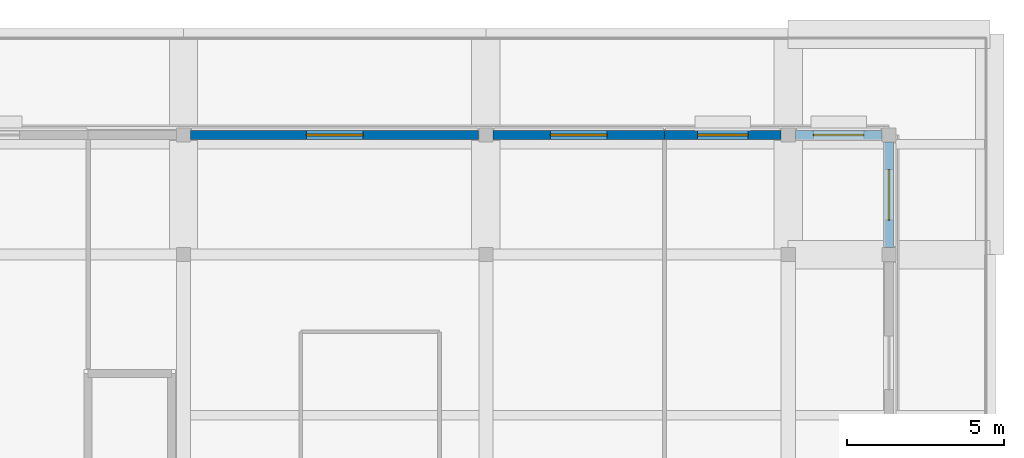
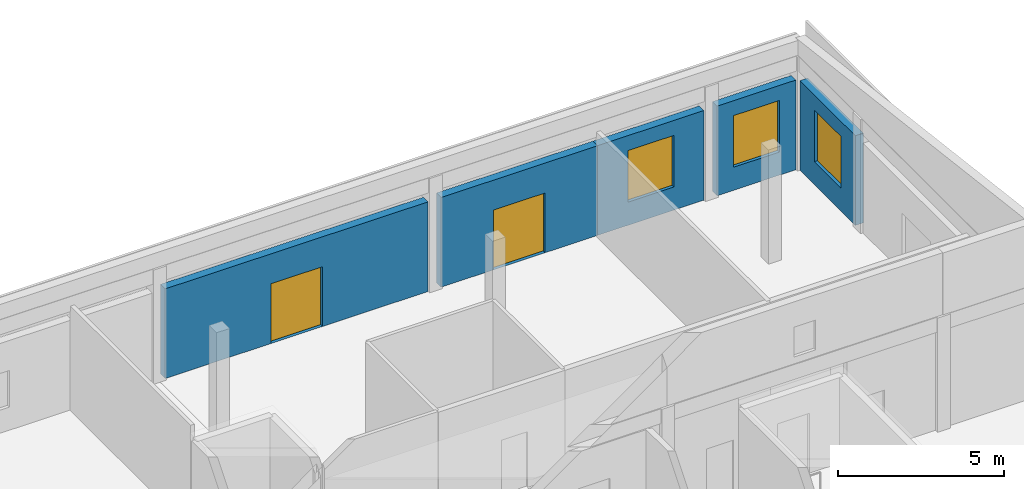
# One storey, part 6 of 8: 5 walls, 3 windows, 2 doors, 5 openings.
"""IFC4 building model written with IfcOpenShell, lengths in metres."""

import ifcopenshell
import ifcopenshell.guid

model = None  # the IFC model being written
_history = None  # IfcOwnerHistory: only IFC2X3 demands one
_inside = {}  # id of a spatial element -> (the spatial element, [elements in it])
_under = {}  # id of a project, library or spatial element -> (it, [spatial elements below it])
_declared = {}  # id of a project -> (the project, [libraries it declares])
_typed = {}  # id of a type object -> (the type object, [elements of that type])
_made_of = {}  # id of a material, layer set ... -> (it, [elements and type objects made of it])


def new_model(schema):
    """Start an empty IFC model of exactly this schema.

    Asked for "IFC4X3", IfcOpenShell would pick the latest addendum, in which some entities
    have other attributes; the version numbers below select the first issue.
    IFC2X3 requires an IfcOwnerHistory on every rooted entity: one is made here for all.
    """
    global model, _history
    if schema == "IFC4X3":
        model = ifcopenshell.file(schema_version=(4, 3, 0, 0))
    else:
        model = ifcopenshell.file(schema=schema)
    _inside.clear()
    _under.clear()
    _declared.clear()
    _typed.clear()
    _made_of.clear()
    _history = None
    if model.schema == "IFC2X3":
        org = make("IfcOrganization", Name="unknown")
        user = make(
            "IfcPersonAndOrganization",
            ThePerson=make("IfcPerson", FamilyName="unknown"),
            TheOrganization=org,
        )
        app = make(
            "IfcApplication",
            ApplicationDeveloper=org,
            Version="unknown",
            ApplicationFullName="unknown",
            ApplicationIdentifier="unknown",
        )
        _history = make(
            "IfcOwnerHistory",
            OwningUser=user,
            OwningApplication=app,
            ChangeAction="ADDED",
            CreationDate=0,
        )
    return model


def make(cls, **values):
    """One entity of the class cls with the attributes given. An attribute that is None is left unset."""
    return model.create_entity(
        cls, **{name: value for name, value in values.items() if value is not None}
    )


def rooted(cls, **values):
    """An entity with a GlobalId (a new one), such as an element, a storey or a relation."""
    return make(cls, GlobalId=ifcopenshell.guid.new(), OwnerHistory=_history, **values)


def si_unit(unit_type, name, prefix=None):
    """IfcSIUnit, for example si_unit("LENGTHUNIT", "METRE", prefix="MILLI")."""
    return make("IfcSIUnit", UnitType=unit_type, Prefix=prefix, Name=name)


def assignment(units):
    """IfcUnitAssignment: the units of a project."""
    return None if units is None else make("IfcUnitAssignment", Units=units)


def point(xyz):
    """IfcCartesianPoint."""
    return None if xyz is None else make("IfcCartesianPoint", Coordinates=xyz)


def direction(xyz):
    """IfcDirection."""
    return None if xyz is None else make("IfcDirection", DirectionRatios=xyz)


def frame(location, z_axis=None, x_axis=None):
    """IfcAxis2Placement3D, a coordinate frame: its origin and axes. An axis left out is left unset."""
    return make(
        "IfcAxis2Placement3D",
        Location=point(location),
        Axis=direction(z_axis),
        RefDirection=direction(x_axis),
    )


def frame_2d(location, x_axis=None):
    """IfcAxis2Placement2D, a coordinate frame in the plane: its origin and x axis."""
    return make(
        "IfcAxis2Placement2D", Location=point(location), RefDirection=direction(x_axis)
    )


def origin():
    """The frame at (0, 0, 0) with its axes left unset."""
    return frame((0.0, 0.0, 0.0))


def place(relative_to, where):
    """IfcLocalPlacement: puts the frame where relative to a parent placement (None: the world)."""
    return make(
        "IfcLocalPlacement", PlacementRelTo=relative_to, RelativePlacement=where
    )


def context(
    kind, dimensions, precision=None, world=None, true_north=None, identifier=None
):
    """IfcGeometricRepresentationContext, for example the 3D "Model" context."""
    return make(
        "IfcGeometricRepresentationContext",
        ContextIdentifier=identifier,
        ContextType=kind,
        CoordinateSpaceDimension=dimensions,
        Precision=precision,
        WorldCoordinateSystem=world,
        TrueNorth=true_north,
    )


def subcontext(parent, identifier, kind, view, scale=None):
    """IfcGeometricRepresentationSubContext, for example "Body" below "Model"."""
    return make(
        "IfcGeometricRepresentationSubContext",
        ContextIdentifier=identifier,
        ContextType=kind,
        ParentContext=parent,
        TargetScale=scale,
        TargetView=view,
    )


def project(units=None, contexts=None):
    """IfcProject with its units and contexts."""
    return rooted(
        "IfcProject",
        Name="project",
        RepresentationContexts=contexts,
        UnitsInContext=assignment(units),
    )


def spatial(cls, under=None, at=None, **own):
    """A site, building, storey or space (cls), placed at a placement, below another one or the project."""
    s = rooted(cls, ObjectPlacement=at, **own)
    if under is not None:
        _under.setdefault(under.id(), (under, []))[1].append(s)
    return s


def profile(cls, at=None, kind="AREA", **sizes):
    """A parametric profile (cls). Its sizes go by their IFC names, for example OverallWidth=200.0."""
    return make(cls, ProfileType=kind, Position=at, **sizes)


def rectangle(**sizes):
    """IfcRectangleProfileDef."""
    return profile("IfcRectangleProfileDef", **sizes)


def extrude(swept, where, along, depth):
    """IfcExtrudedAreaSolid: the profile swept, set in the frame where, extruded along a direction by depth."""
    return make(
        "IfcExtrudedAreaSolid",
        SweptArea=swept,
        Position=where,
        ExtrudedDirection=direction(along),
        Depth=depth,
    )


def shape(context_of_items, identifier, shape_type, items):
    """IfcShapeRepresentation: the items that make up one representation, for example the "Body"."""
    return make(
        "IfcShapeRepresentation",
        ContextOfItems=context_of_items,
        RepresentationIdentifier=identifier,
        RepresentationType=shape_type,
        Items=items,
    )


def material(Name=None, Category=None):
    """IfcMaterial."""
    return make("IfcMaterial", Name=Name, Category=Category)


def layer(
    of_material, thickness, ventilated=None, Name=None, Category=None, Priority=None
):
    """IfcMaterialLayer: one layer of a wall or slab, of a material (None: an air gap)."""
    return make(
        "IfcMaterialLayer",
        Material=of_material,
        LayerThickness=thickness,
        IsVentilated=ventilated,
        Name=Name,
        Category=Category,
        Priority=Priority,
    )


def layer_set(layers, Name=None):
    """IfcMaterialLayerSet."""
    return make("IfcMaterialLayerSet", MaterialLayers=layers, LayerSetName=Name)


def made_of(thing, what):
    """Note that an element or type object is made of a material, layer set ...; save() writes the relation."""
    if what is not None:
        _made_of.setdefault(what.id(), (what, []))[1].append(thing)
    return thing


def type_object(cls, material=None, **own):
    """A type object (cls), such as IfcWallType, which elements share."""
    return made_of(rooted(cls, **own), material)


def element(
    cls,
    number,
    at=None,
    inside=None,
    cuts=None,
    type_object=None,
    material=None,
    context=None,
    identifier="Body",
    shape_type=None,
    held_by="IfcProductDefinitionShape",
    body=None,
    shapes=None,
    **own,
):
    """One element of the class cls, such as IfcWall. Its Tag is "e" and its number.

    at: its placement. inside: the storey or other place that contains it. cuts: it is an
    opening in that element (IfcRelVoidsElement). A single representation is given by context,
    identifier, shape_type and body (its items); several are given by shapes. held_by: the class
    of the entity that holds the representations. save() writes the other relations.
    """
    e = rooted(cls, Tag="e%d" % number, ObjectPlacement=at, **own)
    if body is not None:
        shapes = [shape(context, identifier, shape_type, body)]
    if shapes is not None:
        e.Representation = make(held_by, Representations=shapes)
    if inside is not None:
        _inside.setdefault(inside.id(), (inside, []))[1].append(e)
    if cuts is not None:
        rooted(
            "IfcRelVoidsElement", RelatingBuildingElement=cuts, RelatedOpeningElement=e
        )
    if type_object is not None:
        _typed.setdefault(type_object.id(), (type_object, []))[1].append(e)
    return made_of(e, material)


def fill(opening, filler):
    """IfcRelFillsElement: the door or window that sits in an opening."""
    return rooted(
        "IfcRelFillsElement",
        RelatingOpeningElement=opening,
        RelatedBuildingElement=filler,
    )


def aggregate(whole, parts):
    """IfcRelAggregates: a whole, such as a stair, and the parts it consists of."""
    return rooted("IfcRelAggregates", RelatingObject=whole, RelatedObjects=parts)


def save(model, path):
    """Write the relations noted so far, then the file.

    IfcRelAggregates (storeys below a building ...), IfcRelContainedInSpatialStructure (elements
    in a storey), IfcRelDefinesByType, IfcRelAssociatesMaterial and IfcRelDeclares: one each for
    every whole, place, type object, material and project.
    """
    for whole, parts in _under.values():
        aggregate(whole, parts)
    for where, things in _inside.values():
        rooted(
            "IfcRelContainedInSpatialStructure",
            RelatedElements=things,
            RelatingStructure=where,
        )
    for kind, things in _typed.values():
        rooted("IfcRelDefinesByType", RelatedObjects=things, RelatingType=kind)
    for what, things in _made_of.values():
        rooted("IfcRelAssociatesMaterial", RelatedObjects=things, RelatingMaterial=what)
    for by, libraries in _declared.values():
        rooted("IfcRelDeclares", RelatingContext=by, RelatedDefinitions=libraries)
    model.write(path)


model = new_model("IFC4")

# Units and contexts
model_context = context("Model", 3, precision=1e-05, world=origin(), true_north=direction((0.0, 1.0)))
body_context = subcontext(model_context, "Body", "Model", "MODEL_VIEW")
ifc_project = project(units=[si_unit("LENGTHUNIT", "METRE"), si_unit("AREAUNIT", "SQUARE_METRE"), si_unit("VOLUMEUNIT", "CUBIC_METRE"), si_unit("PLANEANGLEUNIT", "RADIAN"), si_unit("MASSUNIT", "GRAM", prefix="KILO")], contexts=[model_context])

# Site, building, storey
site_placement = place(None, origin())
site = spatial("IfcSite", under=ifc_project, at=site_placement, CompositionType="ELEMENT")
building_placement = place(site_placement, origin())
building = spatial("IfcBuilding", under=site, at=building_placement, Name="Vondelvale Polytechnic", CompositionType="ELEMENT")
storey_placement = place(building_placement, frame((0.0, 0.0, 30.60009765625)))
storey = spatial("IfcBuildingStorey", under=building, at=storey_placement, Name="L07", CompositionType="ELEMENT", Elevation=30.60009765625)

# Wall, opening, window
ifc_material_1 = material(Name="Amsterdam School iron-spot clinker clay brickwork", Category="masonry")
ifc_layer = layer(ifc_material_1, 0.280029296875)
ifc_layer_set = layer_set([ifc_layer], Name="WL-BRICK-280")
wall_type = type_object("IfcWallType", Name="WL-BRICK-280", PredefinedType="SOLIDWALL", material=ifc_layer_set)
wall_1_placement = place(storey_placement, frame((41.60009765625, 34.174072265625, 0.0), z_axis=(0.0, 0.0, 1.0), x_axis=(0.0, -1.0, 0.0)))
wall_1 = element("IfcWall", 1, at=wall_1_placement, inside=storey, type_object=wall_type, Name="L07 exterior masonry facade wall", PredefinedType="SOLIDWALL", context=body_context, shape_type="SweptSolid", body=[
    extrude(rectangle(XDim=3.34814453125, YDim=0.280029296875, at=frame_2d((1.674072265625, 0.0))), origin(), (0.0, 0.0, 1.0), 3.2998046875),
])
opening_1_placement = place(wall_1_placement, frame((0.8740234375, 0.0, 0.85009765625)))
opening_1 = element("IfcOpeningElement", 2, at=opening_1_placement, cuts=wall_1, Name="Opening WN-0308", PredefinedType="OPENING", context=body_context, shape_type="SweptSolid", body=[
    extrude(rectangle(XDim=1.60009765625, YDim=1.89990234375, at=frame_2d((0.800048828125, 0.949951171875))), frame((0.0, 0.14990234375, 0.0), z_axis=(0.0, -1.0, 0.0), x_axis=(1.0, 0.0, 0.0)), (0.0, 0.0, 1.0), 0.300048828125),
])
ifc_material_2 = material(Name="Double-glazed low-E insulated architectural glass", Category="glass")
window_type = type_object("IfcWindowType", Name="WN-SEM-1600x1900", PartitioningType="SINGLE_PANEL", PredefinedType="WINDOW", material=ifc_material_2)
window_1_placement = place(opening_1_placement, origin())
window_1 = element("IfcWindow", 3, at=window_1_placement, inside=storey, type_object=window_type, Name="L07 double-glazed architectural window WN-0308", OverallHeight=1.89990234375, OverallWidth=1.60009765625, PartitioningType="SINGLE_PANEL", PredefinedType="WINDOW", context=body_context, shape_type="SweptSolid", body=[
    extrude(rectangle(XDim=1.60009765625, YDim=1.89990234375, at=frame_2d((0.800048828125, 0.949951171875))), frame((0.0, 0.030029296875, 0.0), z_axis=(0.0, -1.0, 0.0), x_axis=(1.0, 0.0, 0.0)), (0.0, 0.0, 1.0), 0.06005859375),
])
fill(opening_1, window_1)

# Wall, opening, door
wall_2_placement = place(storey_placement, frame((19.426025390625, 34.39990234375, 0.0), z_axis=(0.0, 0.0, 1.0), x_axis=(1.0, 0.0, 0.0)))
wall_2 = element("IfcWall", 4, at=wall_2_placement, inside=storey, type_object=wall_type, Name="L07 exterior masonry facade wall", PredefinedType="SOLIDWALL", context=body_context, shape_type="SweptSolid", body=[
    extrude(rectangle(XDim=9.14794921875, YDim=0.280029296875, at=frame_2d((4.573974609375, 0.0))), origin(), (0.0, 0.0, 1.0), 3.2998046875),
])
opening_2_placement = place(wall_2_placement, frame((3.674072265625, 0.0, 0.0)))
opening_2 = element("IfcOpeningElement", 5, at=opening_2_placement, cuts=wall_2, Name="Opening ED-018", PredefinedType="OPENING", context=body_context, shape_type="SweptSolid", body=[
    extrude(rectangle(XDim=1.800048828125, YDim=2.199951171875, at=frame_2d((0.89990234375, 1.10009765625))), frame((0.0, 0.14990234375, 0.0), z_axis=(0.0, -1.0, 0.0), x_axis=(1.0, 0.0, 0.0)), (0.0, 0.0, 1.0), 0.300048828125),
])
ifc_material_3 = material(Name="Anodised extruded aluminium 6063-T6", Category="aluminium")
door_type = type_object("IfcDoorType", Name="DR-TER-1800x2200", OperationType="DOUBLE_DOOR_SINGLE_SWING", PredefinedType="DOOR", material=ifc_material_3)
door_1_placement = place(opening_2_placement, origin())
door_1 = element("IfcDoor", 6, at=door_1_placement, inside=storey, type_object=door_type, Name="L07 exterior entrance/exit door ED-018", OperationType="DOUBLE_DOOR_SINGLE_SWING", OverallHeight=2.199951171875, OverallWidth=1.800048828125, PredefinedType="DOOR", context=body_context, shape_type="SweptSolid", body=[
    extrude(rectangle(XDim=1.800048828125, YDim=2.199951171875, at=frame_2d((0.89990234375, 1.10009765625))), frame((0.0, 0.02490234375, 0.0), z_axis=(0.0, -1.0, 0.0), x_axis=(1.0, 0.0, 0.0)), (0.0, 0.0, 1.0), 0.050048828125),
])
fill(opening_2, door_1)

wall_3_placement = place(storey_placement, frame((29.02587890625, 34.39990234375, 0.0), z_axis=(0.0, 0.0, 1.0), x_axis=(1.0, 0.0, 0.0)))
wall_3 = element("IfcWall", 7, at=wall_3_placement, inside=storey, type_object=wall_type, Name="L07 exterior masonry facade wall", PredefinedType="SOLIDWALL", context=body_context, shape_type="SweptSolid", body=[
    extrude(rectangle(XDim=5.44921875, YDim=0.280029296875, at=frame_2d((2.724609375, 0.0))), origin(), (0.0, 0.0, 1.0), 3.2998046875),
])
opening_3_placement = place(wall_3_placement, frame((1.824462890625, 0.0, 0.0)))
opening_3 = element("IfcOpeningElement", 8, at=opening_3_placement, cuts=wall_3, Name="Opening ED-019", PredefinedType="OPENING", context=body_context, shape_type="SweptSolid", body=[
    extrude(rectangle(XDim=1.800048828125, YDim=2.199951171875, at=frame_2d((0.89990234375, 1.10009765625))), frame((0.0, 0.14990234375, 0.0), z_axis=(0.0, -1.0, 0.0), x_axis=(1.0, 0.0, 0.0)), (0.0, 0.0, 1.0), 0.300048828125),
])
door_2_placement = place(opening_3_placement, origin())
door_2 = element("IfcDoor", 9, at=door_2_placement, inside=storey, type_object=door_type, Name="L07 exterior entrance/exit door ED-019", OperationType="DOUBLE_DOOR_SINGLE_SWING", OverallHeight=2.199951171875, OverallWidth=1.800048828125, PredefinedType="DOOR", context=body_context, shape_type="SweptSolid", body=[
    extrude(rectangle(XDim=1.800048828125, YDim=2.199951171875, at=frame_2d((0.89990234375, 1.10009765625))), frame((0.0, 0.02490234375, 0.0), z_axis=(0.0, -1.0, 0.0), x_axis=(1.0, 0.0, 0.0)), (0.0, 0.0, 1.0), 0.050048828125),
])
fill(opening_3, door_2)

# Wall, opening, window
wall_4_placement = place(storey_placement, frame((34.47509765625, 34.39990234375, 0.0), z_axis=(0.0, 0.0, 1.0), x_axis=(1.0, 0.0, 0.0)))
wall_4 = element("IfcWall", 10, at=wall_4_placement, inside=storey, type_object=wall_type, Name="L07 exterior masonry facade wall", PredefinedType="SOLIDWALL", context=body_context, shape_type="SweptSolid", body=[
    extrude(rectangle(XDim=3.698974609375, YDim=0.280029296875, at=frame_2d((1.849609375, 0.0))), origin(), (0.0, 0.0, 1.0), 3.2998046875),
])
opening_4_placement = place(wall_4_placement, frame((1.049560546875, 0.0, 0.85009765625)))
opening_4 = element("IfcOpeningElement", 11, at=opening_4_placement, cuts=wall_4, Name="Opening WN-0311", PredefinedType="OPENING", context=body_context, shape_type="SweptSolid", body=[
    extrude(rectangle(XDim=1.60009765625, YDim=1.89990234375, at=frame_2d((0.800048828125, 0.949951171875))), frame((0.0, 0.14990234375, 0.0), z_axis=(0.0, -1.0, 0.0), x_axis=(1.0, 0.0, 0.0)), (0.0, 0.0, 1.0), 0.300048828125),
])
window_2_placement = place(opening_4_placement, origin())
window_2 = element("IfcWindow", 12, at=window_2_placement, inside=storey, type_object=window_type, Name="L07 double-glazed architectural window WN-0311", OverallHeight=1.89990234375, OverallWidth=1.60009765625, PartitioningType="SINGLE_PANEL", PredefinedType="WINDOW", context=body_context, shape_type="SweptSolid", body=[
    extrude(rectangle(XDim=1.60009765625, YDim=1.89990234375, at=frame_2d((0.800048828125, 0.949951171875))), frame((0.0, 0.030029296875, 0.0), z_axis=(0.0, -1.0, 0.0), x_axis=(1.0, 0.0, 0.0)), (0.0, 0.0, 1.0), 0.06005859375),
])
fill(opening_4, window_2)

wall_5_placement = place(storey_placement, frame((38.6259765625, 34.39990234375, 0.0), z_axis=(0.0, 0.0, 1.0), x_axis=(1.0, 0.0, 0.0)))
wall_5 = element("IfcWall", 13, at=wall_5_placement, inside=storey, type_object=wall_type, Name="L07 exterior masonry facade wall", PredefinedType="SOLIDWALL", context=body_context, shape_type="SweptSolid", body=[
    extrude(rectangle(XDim=2.748046875, YDim=0.280029296875, at=frame_2d((1.3740234375, 0.0))), origin(), (0.0, 0.0, 1.0), 3.2998046875),
])
opening_5_placement = place(wall_5_placement, frame((0.573974609375, 0.0, 0.85009765625)))
opening_5 = element("IfcOpeningElement", 14, at=opening_5_placement, cuts=wall_5, Name="Opening WN-0312", PredefinedType="OPENING", context=body_context, shape_type="SweptSolid", body=[
    extrude(rectangle(XDim=1.60009765625, YDim=1.89990234375, at=frame_2d((0.800048828125, 0.949951171875))), frame((0.0, 0.14990234375, 0.0), z_axis=(0.0, -1.0, 0.0), x_axis=(1.0, 0.0, 0.0)), (0.0, 0.0, 1.0), 0.300048828125),
])
window_3_placement = place(opening_5_placement, origin())
window_3 = element("IfcWindow", 15, at=window_3_placement, inside=storey, type_object=window_type, Name="L07 double-glazed architectural window WN-0312", OverallHeight=1.89990234375, OverallWidth=1.60009765625, PartitioningType="SINGLE_PANEL", PredefinedType="WINDOW", context=body_context, shape_type="SweptSolid", body=[
    extrude(rectangle(XDim=1.60009765625, YDim=1.89990234375, at=frame_2d((0.800048828125, 0.949951171875))), frame((0.0, 0.030029296875, 0.0), z_axis=(0.0, -1.0, 0.0), x_axis=(1.0, 0.0, 0.0)), (0.0, 0.0, 1.0), 0.06005859375),
])
fill(opening_5, window_3)

save(model, "model.ifc")
